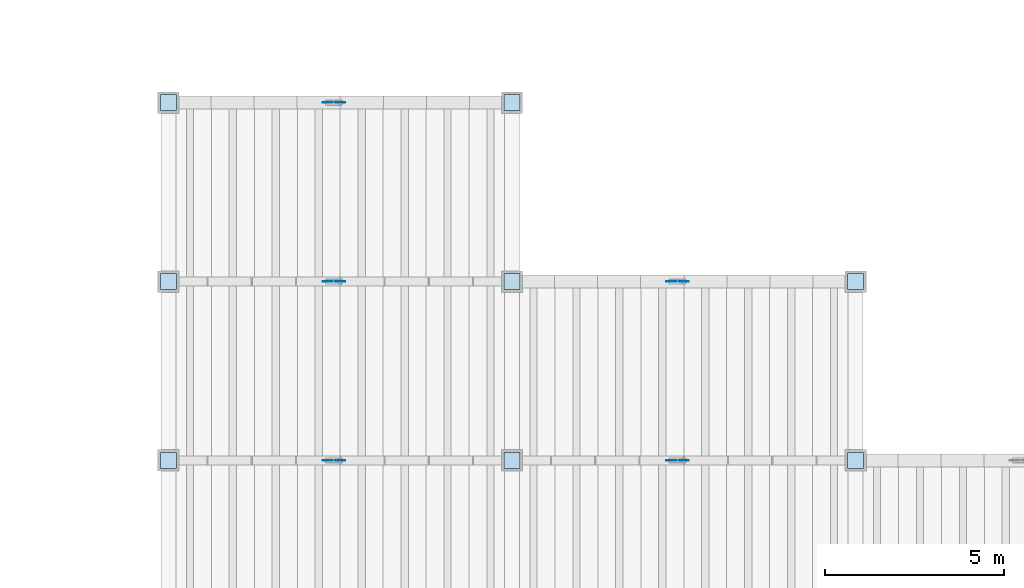
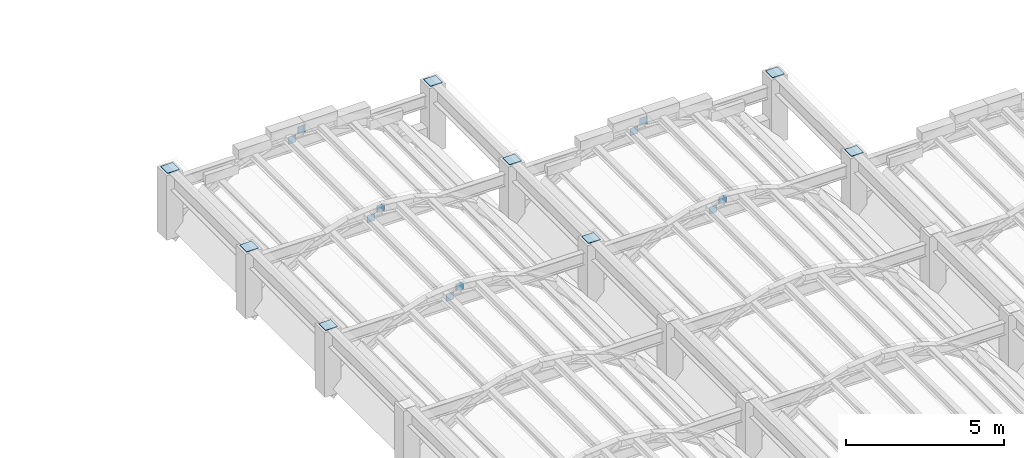
# One storey, part 58 of 70: 18 plates.
"""IFC4 building model written with IfcOpenShell, lengths in metres."""

from ifc_helpers import new_model, si_unit, direction, frame, origin, origin_2d, place, context, subcontext, project, spatial, rectangle, extrude, material, layer, layer_set, type_object, element, save


model = new_model("IFC4")

# Units and contexts
model_context = context("Model", 3, precision=1e-05, world=origin(), true_north=direction((0.0, 1.0)))
body_context = subcontext(model_context, "Body", "Model", "MODEL_VIEW")
ifc_project = project(units=[si_unit("LENGTHUNIT", "METRE"), si_unit("AREAUNIT", "SQUARE_METRE"), si_unit("VOLUMEUNIT", "CUBIC_METRE"), si_unit("PLANEANGLEUNIT", "RADIAN"), si_unit("MASSUNIT", "GRAM", prefix="KILO")], contexts=[model_context])

# Site, building, storey
site_placement = place(None, origin())
site = spatial("IfcSite", under=ifc_project, at=site_placement, CompositionType="ELEMENT")
building_placement = place(site_placement, origin())
building = spatial("IfcBuilding", under=site, at=building_placement, Name="Mavantir Sound Aquarium", CompositionType="ELEMENT")
storey_placement = place(building_placement, frame((0.0, 0.0, 27.0)))
storey = spatial("IfcBuildingStorey", under=building, at=storey_placement, Name="RF", CompositionType="ELEMENT", Elevation=27.0)

# Plates
ifc_material = material(Name="Structural Steel ASTM A572 Gr50", Category="steel")
ifc_layer_1 = layer(ifc_material, 0.02001953125, Name="Structural Steel ASTM A572 Gr50")
ifc_layer_set_1 = layer_set([ifc_layer_1], Name="Structural Steel ASTM A572 Gr50")
plate_type_1 = type_object("IfcPlateType", Name="PLT-ENDCAP-20", PredefinedType="SHEET", material=ifc_layer_set_1)
for number, where, z_axis, x_axis, name in (
    (1, (108.0, 80.800048828125, -4.699951171875), (0.0, 0.0, 1.0), (1.0, 0.0, 0.0), "Ridge column cap plate 1.81"),
    (2, (108.0, 85.800048828125, -4.699951171875), (0.0, 0.0, 1.0), (1.0, 0.0, 0.0), "Ridge column cap plate 1.86"),
    (3, (108.0, 90.800048828125, -4.699951171875), (0.0, 0.0, 1.0), (1.0, 0.0, 0.0), "Ridge column cap plate 1.91"),
    (4, (117.60009765625, 80.800048828125, -4.699951171875), (0.0, 0.0, 1.0), (1.0, 0.0, 0.0), "Ridge column cap plate 2.81"),
    (5, (117.60009765625, 85.800048828125, -4.699951171875), (0.0, 0.0, 1.0), (1.0, 0.0, 0.0), "Ridge column cap plate 2.86"),
    (6, (117.60009765625, 90.800048828125, -4.699951171875), (0.0, 0.0, 1.0), (1.0, 0.0, 0.0), "Ridge column cap plate 2.91"),
    (7, (127.199951171875, 80.800048828125, -4.699951171875), (0.0, 0.0, 1.0), (1.0, 0.0, 0.0), "Ridge column cap plate 3.81"),
    (8, (127.199951171875, 85.800048828125, -4.699951171875), (0.0, 0.0, 1.0), (1.0, 0.0, 0.0), "Ridge column cap plate 3.86"),
):
    element("IfcPlate", number, at=place(storey_placement, frame(where, z_axis=z_axis, x_axis=x_axis)), inside=storey, type_object=plate_type_1, Name=name, PredefinedType="SHEET", context=body_context, shape_type="SweptSolid", body=[
        extrude(rectangle(XDim=0.43994140625, YDim=0.43994140625, at=origin_2d()), origin(), (0.0, 0.0, 1.0), 0.02001953125),
    ])
ifc_layer_2 = layer(ifc_material, 0.01611328125, Name="Structural Steel ASTM A572 Gr50")
ifc_layer_set_2 = layer_set([ifc_layer_2], Name="Structural Steel ASTM A572 Gr50")
plate_type_2 = type_object("IfcPlateType", Name="PLT-GUSSET-16", PredefinedType="SHEET", material=ifc_layer_set_2)
for number, where, z_axis, x_axis, name in (
    (9, (112.449951171875, 80.800048828125, -5.283203125), (0.0, 0.0, 1.0), (1.0, 0.0, 0.0), "Brace end gusset plate GP-01 85"),
    (10, (112.800048828125, 80.800048828125, -5.0166015625), (0.0, 0.0, 1.0), (1.0, 0.0, 0.0), "Brace end gusset plate GP-01 86"),
    (11, (112.449951171875, 85.800048828125, -5.283203125), (0.0, 0.0, 1.0), (1.0, 0.0, 0.0), "Brace end gusset plate GP-01 87"),
    (12, (112.800048828125, 85.800048828125, -5.0166015625), (0.0, 0.0, 1.0), (1.0, 0.0, 0.0), "Brace end gusset plate GP-01 88"),
    (13, (112.449951171875, 90.800048828125, -5.283203125), (0.0, 0.0, 1.0), (1.0, 0.0, 0.0), "Brace end gusset plate GP-01 89"),
    (14, (112.800048828125, 90.800048828125, -5.0166015625), (0.0, 0.0, 1.0), (1.0, 0.0, 0.0), "Brace end gusset plate GP-01 90"),
    (15, (122.050048828125, 80.800048828125, -5.283203125), (0.0, 0.0, 1.0), (1.0, 0.0, 0.0), "Brace end gusset plate GP-01 105"),
    (16, (122.39990234375, 80.800048828125, -5.0166015625), (0.0, 0.0, 1.0), (1.0, 0.0, 0.0), "Brace end gusset plate GP-01 106"),
    (17, (122.050048828125, 85.800048828125, -5.283203125), (0.0, 0.0, 1.0), (1.0, 0.0, 0.0), "Brace end gusset plate GP-01 107"),
    (18, (122.39990234375, 85.800048828125, -5.0166015625), (0.0, 0.0, 1.0), (1.0, 0.0, 0.0), "Brace end gusset plate GP-01 108"),
):
    element("IfcPlate", number, at=place(storey_placement, frame(where, z_axis=z_axis, x_axis=x_axis)), inside=storey, type_object=plate_type_2, Name=name, PredefinedType="SHEET", context=body_context, shape_type="SweptSolid", body=[
        extrude(rectangle(XDim=0.280029296875, YDim=0.01611328125, at=origin_2d()), origin(), (0.0, 0.0, 1.0), 0.280029296875),
    ])

save(model, "model.ifc")
